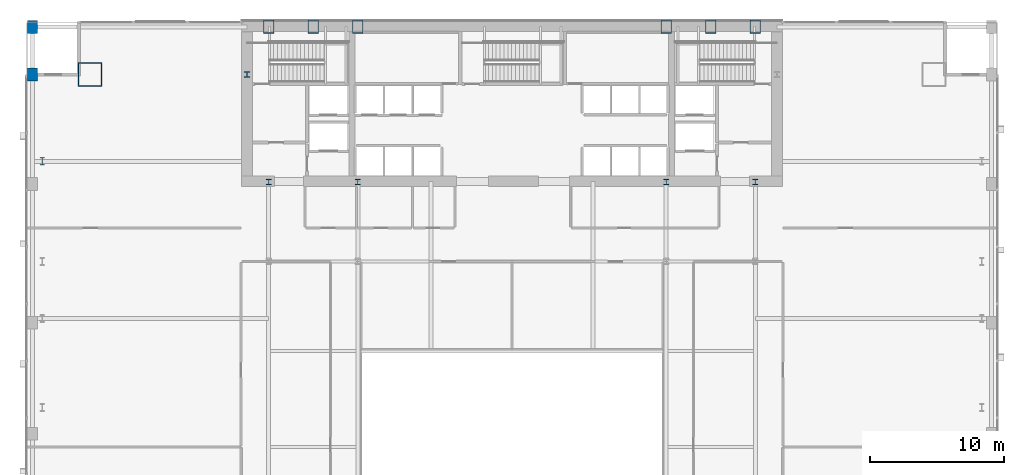
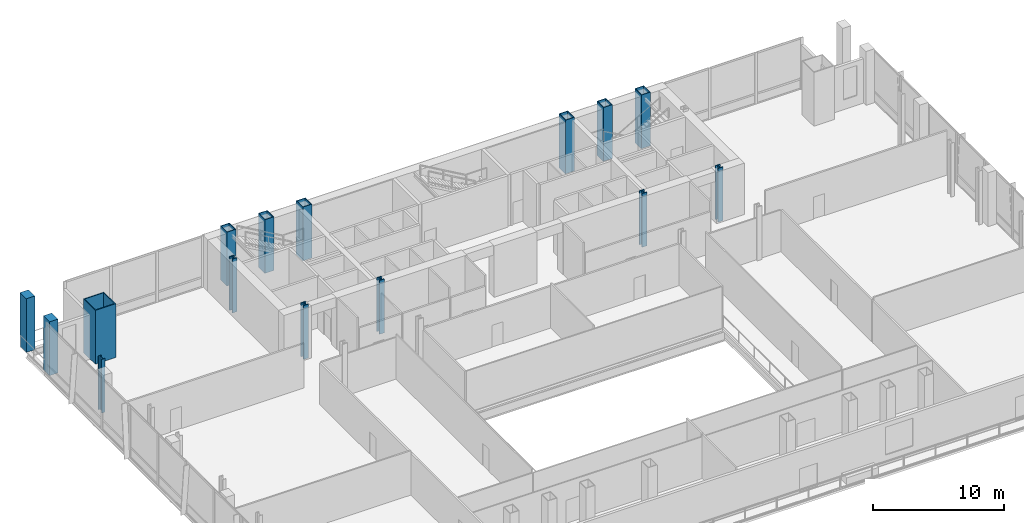
# One storey, part 3 of 25: 15 columns.
"""IFC4 building model written with IfcOpenShell, lengths in metres."""

from ifc_helpers import new_model, si_unit, direction, frame, origin, origin_2d, place, context, subcontext, project, spatial, rectangle, hollow_rectangle, i_section, extrude, material, material_profile, profile_set, type_object, element, save


model = new_model("IFC4")

# Units and contexts
model_context = context("Model", 3, precision=1e-05, world=origin(), true_north=direction((0.0, 1.0)))
body_context = subcontext(model_context, "Body", "Model", "MODEL_VIEW")
ifc_project = project(units=[si_unit("LENGTHUNIT", "METRE"), si_unit("AREAUNIT", "SQUARE_METRE"), si_unit("VOLUMEUNIT", "CUBIC_METRE"), si_unit("PLANEANGLEUNIT", "RADIAN"), si_unit("MASSUNIT", "GRAM", prefix="KILO")], contexts=[model_context])

# Site, building, storey
site_placement = place(None, origin())
site = spatial("IfcSite", under=ifc_project, at=site_placement, CompositionType="ELEMENT")
building_placement = place(site_placement, origin())
building = spatial("IfcBuilding", under=site, at=building_placement, Name="Khoronbel Lancet Exchange", CompositionType="ELEMENT")
storey_placement = place(building_placement, frame((0.0, 0.0, 15.39990234375)))
storey = spatial("IfcBuildingStorey", under=building, at=storey_placement, Name="L03", CompositionType="ELEMENT", Elevation=15.39990234375)

# Columns
ifc_material_1 = material(Name="Steel S460", Category="steel")
ifc_material_profile_1 = material_profile(ifc_material_1, hollow_rectangle(XDim=0.800048828125, YDim=1.0, WallThickness=0.054931640625, at=origin_2d()), Name="BOX 1000x800x55")
ifc_profile_set_1 = profile_set([ifc_material_profile_1], Name="Steel S460")
column_type_1 = type_object("IfcColumnType", Name="COL-EC1", PredefinedType="COLUMN", material=ifc_profile_set_1)
for number, where, z_axis, x_axis, name in (
    (1, (18.22509765625, 53.280029296875, 0.0), (0.0, 0.0, 1.0), (1.0, 0.0, 0.0), "Structural column NC-W1 L03"),
    (2, (21.5625, 53.280029296875, 0.0), (0.0, 0.0, 1.0), (1.0, 0.0, 0.0), "Structural column NC-WM L03"),
    (3, (24.89990234375, 53.280029296875, 0.0), (0.0, 0.0, 1.0), (1.0, 0.0, 0.0), "Structural column NC-W2 L03"),
    (4, (48.0, 53.280029296875, 0.0), (0.0, 0.0, 1.0), (1.0, 0.0, 0.0), "Structural column NC-E1 L03"),
    (5, (51.33740234375, 53.280029296875, 0.0), (0.0, 0.0, 1.0), (1.0, 0.0, 0.0), "Structural column NC-EM L03"),
    (6, (54.675048828125, 53.280029296875, 0.0), (0.0, 0.0, 1.0), (1.0, 0.0, 0.0), "Structural column NC-E2 L03"),
):
    element("IfcColumn", number, at=place(storey_placement, frame(where, z_axis=z_axis, x_axis=x_axis)), inside=storey, type_object=column_type_1, Name=name, PredefinedType="COLUMN", context=body_context, shape_type="SweptSolid", body=[
        extrude(hollow_rectangle(XDim=0.800048828125, YDim=1.0, WallThickness=0.054931640625, at=origin_2d()), origin(), (0.0, 0.0, 1.0), 5.0),
    ])
ifc_material_profile_2 = material_profile(ifc_material_1, i_section(OverallWidth=0.424072265625, OverallDepth=0.47412109375, WebThickness=0.047607421875, FlangeThickness=0.076904296875, at=origin_2d()), Name="HD 400x634")
ifc_profile_set_2 = profile_set([ifc_material_profile_2], Name="Steel S460")
column_type_2 = type_object("IfcColumnType", Name="COL-IC1", PredefinedType="COLUMN", material=ifc_profile_set_2)
for number, where, z_axis, x_axis, name in (
    (7, (16.60009765625, 49.699951171875, 0.0), (0.0, 0.0, 1.0), (1.0, 0.0, 0.0), "Core-flank plumb transfer column CFW L03"),
    (8, (18.22509765625, 41.64990234375, 0.0), (0.0, 0.0, 1.0), (1.0, 0.0, 0.0), "Core-embedded steel column CTC1 L03"),
    (9, (24.89990234375, 41.64990234375, 0.0), (0.0, 0.0, 1.0), (1.0, 0.0, 0.0), "Core-embedded steel column CTC2 L03"),
    (10, (48.0, 41.64990234375, 0.0), (0.0, 0.0, 1.0), (1.0, 0.0, 0.0), "Core-embedded steel column CTC3 L03"),
    (11, (54.675048828125, 41.64990234375, 0.0), (0.0, 0.0, 1.0), (1.0, 0.0, 0.0), "Core-embedded steel column CTC4 L03"),
):
    element("IfcColumn", number, at=place(storey_placement, frame(where, z_axis=z_axis, x_axis=x_axis)), inside=storey, type_object=column_type_2, Name=name, PredefinedType="COLUMN", context=body_context, shape_type="SweptSolid", body=[
        extrude(i_section(OverallWidth=0.424072265625, OverallDepth=0.47412109375, WebThickness=0.047607421875, FlangeThickness=0.076904296875, at=origin_2d()), origin(), (0.0, 0.0, 1.0), 5.0),
    ])
ifc_material_2 = material(Name="Steel S355", Category="steel")
ifc_material_profile_3 = material_profile(ifc_material_2, i_section(OverallWidth=0.300048828125, OverallDepth=0.550048828125, WebThickness=0.014892578125, FlangeThickness=0.029052734375, at=origin_2d()), Name="HEB 550")
ifc_profile_set_3 = profile_set([ifc_material_profile_3], Name="Steel S355")
column_type_3 = type_object("IfcColumnType", Name="COL-LC1", PredefinedType="COLUMN", material=ifc_profile_set_3)
column_1_placement = place(storey_placement, frame((1.27001953125, 43.199951171875, 0.0), z_axis=(0.0, 0.0, 1.0), x_axis=(1.0, 0.0, 0.0)))
element("IfcColumn", 12, at=column_1_placement, inside=storey, type_object=column_type_3, Name="Structural column WC-4 L03", PredefinedType="COLUMN", context=body_context, shape_type="SweptSolid", body=[
    extrude(i_section(OverallWidth=0.300048828125, OverallDepth=0.550048828125, WebThickness=0.014892578125, FlangeThickness=0.029052734375, at=origin_2d()), origin(), (0.0, 0.0, 1.0), 5.0),
])
ifc_material_profile_4 = material_profile(ifc_material_1, hollow_rectangle(XDim=1.800048828125, YDim=1.800048828125, WallThickness=0.080078125, at=origin_2d()), Name="BOX 1800x1800x80")
ifc_profile_set_4 = profile_set([ifc_material_profile_4], Name="Steel S460")
column_type_4 = type_object("IfcColumnType", Name="COL-MC1", PredefinedType="COLUMN", material=ifc_profile_set_4)
column_2_placement = place(storey_placement, frame((4.85009765625, 49.699951171875, 0.0), z_axis=(0.0, 0.0, 1.0), x_axis=(1.0, 0.0, 0.0)))
element("IfcColumn", 13, at=column_2_placement, inside=storey, type_object=column_type_4, Name="Structural column MC-NW L03", PredefinedType="COLUMN", context=body_context, shape_type="SweptSolid", body=[
    extrude(hollow_rectangle(XDim=1.800048828125, YDim=1.800048828125, WallThickness=0.080078125, at=origin_2d()), origin(), (0.0, 0.0, 1.0), 5.0),
])
ifc_material_3 = material(Name="Concrete C60/75", Category="concrete")
ifc_material_profile_5 = material_profile(ifc_material_3, rectangle(XDim=0.75, YDim=0.949951171875, at=origin_2d()), Name="RC 750x950")
ifc_profile_set_5 = profile_set([ifc_material_profile_5], Name="Concrete C60/75")
column_type_5 = type_object("IfcColumnType", Name="COL-PIL2", PredefinedType="PILASTER", material=ifc_profile_set_5)
for number, where, z_axis, x_axis, name in (
    (14, (0.550048828125, 49.699951171875, 0.0), (0.0, 0.0, 1.0), (1.0, 0.0, 0.0), "Podium Gothic colonnade pilaster NWMC L03"),
    (15, (0.550048828125, 53.25, 0.0), (0.0, 0.0, 1.0), (1.0, 0.0, 0.0), "Podium Gothic colonnade pilaster NWP L03"),
):
    element("IfcColumn", number, at=place(storey_placement, frame(where, z_axis=z_axis, x_axis=x_axis)), inside=storey, type_object=column_type_5, Name=name, PredefinedType="PILASTER", context=body_context, shape_type="SweptSolid", body=[
        extrude(rectangle(XDim=0.75, YDim=0.949951171875, at=origin_2d()), origin(), (0.0, 0.0, 1.0), 5.0),
    ])

save(model, "model.ifc")
